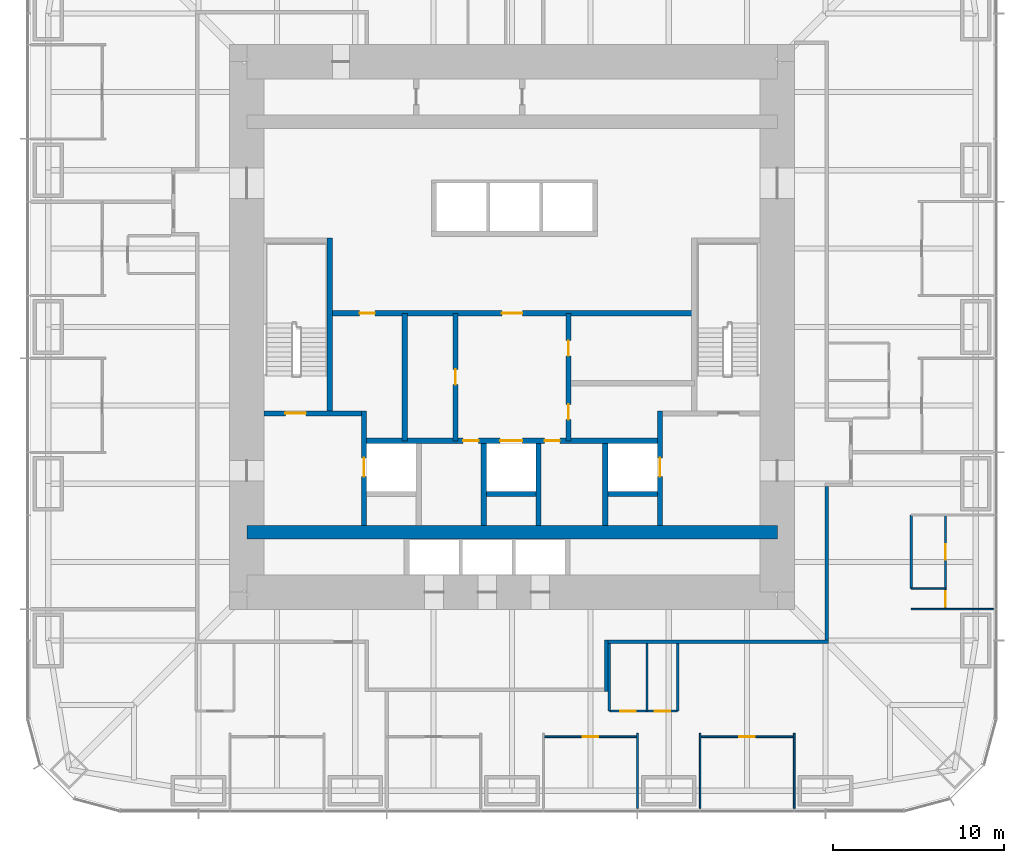
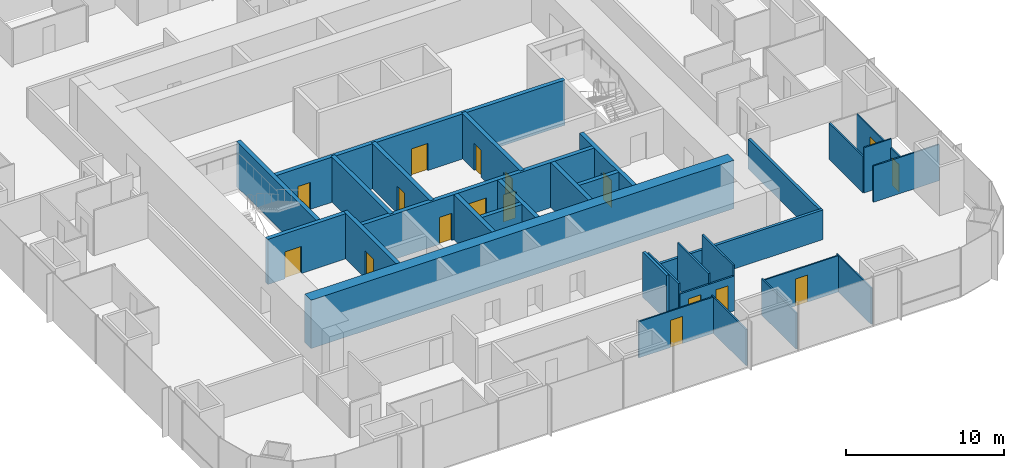
# One storey, part 8 of 11: 31 walls, 17 doors, 17 openings.
"""IFC4 building model written with IfcOpenShell, lengths in metres."""

from ifc_helpers import new_model, si_unit, direction, frame, frame_2d, origin, place, context, subcontext, project, spatial, rectangle, extrude, material, layer, layer_set, type_object, element, fill, save


model = new_model("IFC4")

# Units and contexts
model_context = context("Model", 3, precision=1e-05, world=origin(), true_north=direction((0.0, 1.0)))
body_context = subcontext(model_context, "Body", "Model", "MODEL_VIEW")
ifc_project = project(units=[si_unit("LENGTHUNIT", "METRE"), si_unit("AREAUNIT", "SQUARE_METRE"), si_unit("VOLUMEUNIT", "CUBIC_METRE"), si_unit("PLANEANGLEUNIT", "RADIAN"), si_unit("MASSUNIT", "GRAM", prefix="KILO")], contexts=[model_context])

# Site, building, storey
site_placement = place(None, origin())
site = spatial("IfcSite", under=ifc_project, at=site_placement, CompositionType="ELEMENT")
building_placement = place(site_placement, origin())
building = spatial("IfcBuilding", under=site, at=building_placement, Name="Khuree Lantern Residences", CompositionType="ELEMENT")
storey_placement = place(building_placement, frame((0.0, 0.0, 174.75)))
storey = spatial("IfcBuildingStorey", under=building, at=storey_placement, Name="L44", CompositionType="ELEMENT", Elevation=174.75)

# Wall
ifc_material_1 = material(Name="Moisture-resistant gypsum board on steel studs", Category="steel")
ifc_layer_1 = layer(ifc_material_1, 0.125)
ifc_layer_set_1 = layer_set([ifc_layer_1], Name="BATHROOM WALL BTW125")
wall_type_1 = type_object("IfcWallType", Name="BATHROOM WALL BTW125", PredefinedType="PARTITIONING", material=ifc_layer_set_1)
wall_1_placement = place(storey_placement, frame((23.329833984375, -15.2880859375, 0.0), z_axis=(0.0, 0.0, 1.0), x_axis=(0.0, 1.0, 0.0)))
element("IfcWall", 1, at=wall_1_placement, inside=storey, type_object=wall_type_1, Name="L44 BATHROOM WALL 05", PredefinedType="PARTITIONING", context=body_context, shape_type="SweptSolid", body=[
    extrude(rectangle(XDim=4.296142578125, YDim=0.125, at=frame_2d((2.14794921875, 0.0))), origin(), (0.0, 0.0, 1.0), 2.81005859375),
])

# Wall, openings, doors
wall_2_placement = place(storey_placement, frame((5.68359375, -22.449951171875, 0.0), z_axis=(0.0, 0.0, 1.0), x_axis=(1.0, 0.0, 0.0)))
wall_2 = element("IfcWall", 2, at=wall_2_placement, inside=storey, type_object=wall_type_1, Name="L44 BATHROOM WALL 05", PredefinedType="PARTITIONING", context=body_context, shape_type="SweptSolid", body=[
    extrude(rectangle(XDim=4.0, YDim=0.125, at=frame_2d((2.0, 0.0))), origin(), (0.0, 0.0, 1.0), 2.699951171875),
])
opening_1_placement = place(wall_2_placement, frame((0.64990234375, 0.0, 0.0)))
opening_1 = element("IfcOpeningElement", 3, at=opening_1_placement, cuts=wall_2, Name="Opening 44-047", PredefinedType="OPENING", context=body_context, shape_type="SweptSolid", body=[
    extrude(rectangle(XDim=0.89990234375, YDim=2.10009765625, at=frame_2d((0.449951171875, 1.050048828125))), frame((0.0, 0.072509765625, 0.0), z_axis=(0.0, -1.0, 0.0), x_axis=(1.0, 0.0, 0.0)), (0.0, 0.0, 1.0), 0.14501953125),
])
opening_2_placement = place(wall_2_placement, frame((2.64990234375, 0.0, 0.0)))
opening_2 = element("IfcOpeningElement", 4, at=opening_2_placement, cuts=wall_2, Name="Opening 44-048", PredefinedType="OPENING", context=body_context, shape_type="SweptSolid", body=[
    extrude(rectangle(XDim=0.89990234375, YDim=2.10009765625, at=frame_2d((0.449951171875, 1.050048828125))), frame((0.0, 0.072509765625, 0.0), z_axis=(0.0, -1.0, 0.0), x_axis=(1.0, 0.0, 0.0)), (0.0, 0.0, 1.0), 0.14501953125),
])
ifc_material_2 = material(Name="Timber door leaf in hardwood frame", Category="wood")
door_type_1 = type_object("IfcDoorType", Name="BATHROOM DOOR 900X2100", OperationType="SINGLE_SWING_LEFT", PredefinedType="DOOR", material=ifc_material_2)
door_1_placement = place(opening_1_placement, origin())
door_1 = element("IfcDoor", 5, at=door_1_placement, inside=storey, type_object=door_type_1, Name="Bathroom door 44-047", OperationType="SINGLE_SWING_LEFT", OverallHeight=2.10009765625, OverallWidth=0.89990234375, PredefinedType="DOOR", context=body_context, shape_type="SweptSolid", body=[
    extrude(rectangle(XDim=0.89990234375, YDim=2.10009765625, at=frame_2d((0.449951171875, 1.050048828125))), frame((0.0, 0.02490234375, 0.0), z_axis=(0.0, -1.0, 0.0), x_axis=(1.0, 0.0, 0.0)), (0.0, 0.0, 1.0), 0.050048828125),
])
fill(opening_1, door_1)
door_type_2 = type_object("IfcDoorType", Name="DOOR 900X2100", OperationType="SINGLE_SWING_LEFT", PredefinedType="DOOR", material=ifc_material_2)
door_2_placement = place(opening_2_placement, origin())
door_2 = element("IfcDoor", 6, at=door_2_placement, inside=storey, type_object=door_type_2, Name="Store door 44-048", OperationType="SINGLE_SWING_LEFT", OverallHeight=2.10009765625, OverallWidth=0.89990234375, PredefinedType="DOOR", context=body_context, shape_type="SweptSolid", body=[
    extrude(rectangle(XDim=0.89990234375, YDim=2.10009765625, at=frame_2d((0.449951171875, 1.050048828125))), frame((0.0, 0.02490234375, 0.0), z_axis=(0.0, -1.0, 0.0), x_axis=(1.0, 0.0, 0.0)), (0.0, 0.0, 1.0), 0.050048828125),
])
fill(opening_2, door_2)

# Walls
for number, where, z_axis, x_axis, name in (
    (7, (5.68359375, -18.5, 0.0), (0.0, 0.0, 1.0), (0.0, -1.0, 0.0), "L44 BATHROOM WALL 05"),
    (8, (7.883544921875, -18.5, 0.0), (0.0, 0.0, 1.0), (0.0, -1.0, 0.0), "L44 BATHROOM WALL 05"),
    (9, (9.68359375, -18.5, 0.0), (0.0, 0.0, 1.0), (0.0, -1.0, 0.0), "L44 BATHROOM WALL 05"),
):
    element("IfcWall", number, at=place(storey_placement, frame(where, z_axis=z_axis, x_axis=x_axis)), inside=storey, type_object=wall_type_1, Name=name, PredefinedType="PARTITIONING", context=body_context, shape_type="SweptSolid", body=[
        extrude(rectangle(XDim=3.949951171875, YDim=0.125, at=frame_2d((1.97509765625, 0.0))), origin(), (0.0, 0.0, 1.0), 3.5),
    ])

# Wall, opening, door
ifc_material_3 = material(Name="Dense concrete blockwork", Category="masonry")
ifc_layer_2 = layer(ifc_material_3, 0.300048828125)
ifc_layer_set_2 = layer_set([ifc_layer_2], Name="CORE PARTITION WALL CPW300 EI 120")
wall_type_2 = type_object("IfcWallType", Name="CORE PARTITION WALL CPW300 EI 120", PredefinedType="PARTITIONING", material=ifc_layer_set_2)
wall_3_placement = place(storey_placement, frame((-8.64990234375, -11.60009765625, 0.0), z_axis=(0.0, 0.0, 1.0), x_axis=(0.0, 1.0, 0.0)))
wall_3 = element("IfcWall", 10, at=wall_3_placement, inside=storey, type_object=wall_type_2, Name="L44 CORE WALL FL1W", PredefinedType="PARTITIONING", context=body_context, shape_type="SweptSolid", body=[
    extrude(rectangle(XDim=6.7001953125, YDim=0.300048828125, at=frame_2d((3.35009765625, 0.0))), origin(), (0.0, 0.0, 1.0), 3.5),
])
opening_3_placement = place(wall_3_placement, frame((2.85009765625, 0.0, 0.0)))
opening_3 = element("IfcOpeningElement", 11, at=opening_3_placement, cuts=wall_3, Name="Opening 44-007", PredefinedType="OPENING", context=body_context, shape_type="SweptSolid", body=[
    extrude(rectangle(XDim=1.10009765625, YDim=2.10009765625, at=frame_2d((0.550048828125, 1.050048828125))), frame((0.0, 0.16015625, 0.0), z_axis=(0.0, -1.0, 0.0), x_axis=(1.0, 0.0, 0.0)), (0.0, 0.0, 1.0), 0.320068359375),
])
ifc_material_4 = material(Name="Stainless steel lift landing door", Category="steel")
door_type_3 = type_object("IfcDoorType", Name="LIFT LANDING DOOR 1100X2100 E 120", OperationType="DOUBLE_DOOR_SLIDING", PredefinedType="DOOR", material=ifc_material_4)
door_3_placement = place(opening_3_placement, origin())
door_3 = element("IfcDoor", 12, at=door_3_placement, inside=storey, type_object=door_type_3, Name="Landing door FL1 44-007", OperationType="DOUBLE_DOOR_SLIDING", OverallHeight=2.10009765625, OverallWidth=1.10009765625, PredefinedType="DOOR", context=body_context, shape_type="SweptSolid", body=[
    extrude(rectangle(XDim=1.10009765625, YDim=2.10009765625, at=frame_2d((0.550048828125, 1.050048828125))), frame((0.0, 0.02490234375, 0.0), z_axis=(0.0, -1.0, 0.0), x_axis=(1.0, 0.0, 0.0)), (0.0, 0.0, 1.0), 0.050048828125),
])
fill(opening_3, door_3)

wall_4_placement = place(storey_placement, frame((8.64990234375, -11.60009765625, 0.0), z_axis=(0.0, 0.0, 1.0), x_axis=(0.0, 1.0, 0.0)))
wall_4 = element("IfcWall", 13, at=wall_4_placement, inside=storey, type_object=wall_type_2, Name="L44 CORE WALL FL2E", PredefinedType="PARTITIONING", context=body_context, shape_type="SweptSolid", body=[
    extrude(rectangle(XDim=6.7001953125, YDim=0.300048828125, at=frame_2d((3.35009765625, 0.0))), origin(), (0.0, 0.0, 1.0), 3.5),
])
opening_4_placement = place(wall_4_placement, frame((2.85009765625, 0.0, 0.0)))
opening_4 = element("IfcOpeningElement", 14, at=opening_4_placement, cuts=wall_4, Name="Opening 44-008", PredefinedType="OPENING", context=body_context, shape_type="SweptSolid", body=[
    extrude(rectangle(XDim=1.10009765625, YDim=2.10009765625, at=frame_2d((0.550048828125, 1.050048828125))), frame((0.0, 0.16015625, 0.0), z_axis=(0.0, -1.0, 0.0), x_axis=(1.0, 0.0, 0.0)), (0.0, 0.0, 1.0), 0.320068359375),
])
door_4_placement = place(opening_4_placement, origin())
door_4 = element("IfcDoor", 15, at=door_4_placement, inside=storey, type_object=door_type_3, Name="Landing door FL2 44-008", OperationType="DOUBLE_DOOR_SLIDING", OverallHeight=2.10009765625, OverallWidth=1.10009765625, PredefinedType="DOOR", context=body_context, shape_type="SweptSolid", body=[
    extrude(rectangle(XDim=1.10009765625, YDim=2.10009765625, at=frame_2d((0.550048828125, 1.050048828125))), frame((0.0, 0.02490234375, 0.0), z_axis=(0.0, -1.0, 0.0), x_axis=(1.0, 0.0, 0.0)), (0.0, 0.0, 1.0), 0.050048828125),
])
fill(opening_4, door_4)

# Wall, openings, doors
wall_5_placement = place(storey_placement, frame((-8.5, -6.64990234375, 0.0), z_axis=(0.0, 0.0, 1.0), x_axis=(1.0, 0.0, 0.0)))
wall_5 = element("IfcWall", 16, at=wall_5_placement, inside=storey, type_object=wall_type_2, Name="L44 CORE WALL FLROW", PredefinedType="PARTITIONING", context=body_context, shape_type="SweptSolid", body=[
    extrude(rectangle(XDim=17.0, YDim=0.300048828125, at=frame_2d((8.5, 0.0))), origin(), (0.0, 0.0, 1.0), 3.5),
])
opening_5_placement = place(wall_5_placement, frame((7.800048828125, 0.0, 0.0)))
opening_5 = element("IfcOpeningElement", 17, at=opening_5_placement, cuts=wall_5, Name="Opening 44-012", PredefinedType="OPENING", context=body_context, shape_type="SweptSolid", body=[
    extrude(rectangle(XDim=1.300048828125, YDim=2.39990234375, at=frame_2d((0.64990234375, 1.199951171875))), frame((0.0, 0.16015625, 0.0), z_axis=(0.0, -1.0, 0.0), x_axis=(1.0, 0.0, 0.0)), (0.0, 0.0, 1.0), 0.320068359375),
])
opening_6_placement = place(wall_5_placement, frame((5.64990234375, 0.0, 0.0)))
opening_6 = element("IfcOpeningElement", 18, at=opening_6_placement, cuts=wall_5, Name="Opening 44-014", PredefinedType="OPENING", context=body_context, shape_type="SweptSolid", body=[
    extrude(rectangle(XDim=0.89990234375, YDim=2.10009765625, at=frame_2d((0.449951171875, 1.050048828125))), frame((0.0, 0.16015625, 0.0), z_axis=(0.0, -1.0, 0.0), x_axis=(1.0, 0.0, 0.0)), (0.0, 0.0, 1.0), 0.320068359375),
])
opening_7_placement = place(wall_5_placement, frame((10.39990234375, 0.0, 0.0)))
opening_7 = element("IfcOpeningElement", 19, at=opening_7_placement, cuts=wall_5, Name="Opening 44-015", PredefinedType="OPENING", context=body_context, shape_type="SweptSolid", body=[
    extrude(rectangle(XDim=0.89990234375, YDim=2.10009765625, at=frame_2d((0.449951171875, 1.050048828125))), frame((0.0, 0.16015625, 0.0), z_axis=(0.0, -1.0, 0.0), x_axis=(1.0, 0.0, 0.0)), (0.0, 0.0, 1.0), 0.320068359375),
])
ifc_material_5 = material(Name="Steel door leaf in steel frame", Category="steel")
door_type_4 = type_object("IfcDoorType", Name="DOOR 900X2100 EI 60", OperationType="SINGLE_SWING_LEFT", PredefinedType="DOOR", material=ifc_material_5)
door_5_placement = place(opening_6_placement, origin())
door_5 = element("IfcDoor", 20, at=door_5_placement, inside=storey, type_object=door_type_4, Name="Refuse chute room door 44-014", OperationType="SINGLE_SWING_LEFT", OverallHeight=2.10009765625, OverallWidth=0.89990234375, PredefinedType="DOOR", context=body_context, shape_type="SweptSolid", body=[
    extrude(rectangle(XDim=0.89990234375, YDim=2.10009765625, at=frame_2d((0.449951171875, 1.050048828125))), frame((0.0, 0.02490234375, 0.0), z_axis=(0.0, -1.0, 0.0), x_axis=(1.0, 0.0, 0.0)), (0.0, 0.0, 1.0), 0.050048828125),
])
fill(opening_6, door_5)
door_type_5 = type_object("IfcDoorType", Name="DOOR 900X2100 EI 60 RIGHT HAND", OperationType="SINGLE_SWING_RIGHT", PredefinedType="DOOR", material=ifc_material_5)
door_6_placement = place(opening_7_placement, origin())
door_6 = element("IfcDoor", 21, at=door_6_placement, inside=storey, type_object=door_type_5, Name="Electrical and plumbing riser door 44-015", OperationType="SINGLE_SWING_RIGHT", OverallHeight=2.10009765625, OverallWidth=0.89990234375, PredefinedType="DOOR", context=body_context, shape_type="SweptSolid", body=[
    extrude(rectangle(XDim=0.89990234375, YDim=2.10009765625, at=frame_2d((0.449951171875, 1.050048828125))), frame((0.0, 0.02490234375, 0.0), z_axis=(0.0, -1.0, 0.0), x_axis=(1.0, 0.0, 0.0)), (0.0, 0.0, 1.0), 0.050048828125),
])
fill(opening_7, door_6)
door_type_6 = type_object("IfcDoorType", Name="LIFT LANDING DOOR 1300X2400 E 60", OperationType="DOUBLE_DOOR_SLIDING", PredefinedType="DOOR", material=ifc_material_4)
door_7_placement = place(opening_5_placement, origin())
door_7 = element("IfcDoor", 22, at=door_7_placement, inside=storey, type_object=door_type_6, Name="Landing door SL1 44-012", OperationType="DOUBLE_DOOR_SLIDING", OverallHeight=2.39990234375, OverallWidth=1.300048828125, PredefinedType="DOOR", context=body_context, shape_type="SweptSolid", body=[
    extrude(rectangle(XDim=1.300048828125, YDim=2.39990234375, at=frame_2d((0.64990234375, 1.199951171875))), frame((0.0, 0.02490234375, 0.0), z_axis=(0.0, -1.0, 0.0), x_axis=(1.0, 0.0, 0.0)), (0.0, 0.0, 1.0), 0.050048828125),
])
fill(opening_5, door_7)

# Walls
for number, where, z_axis, x_axis, name in (
    (23, (-1.64990234375, -11.60009765625, 0.0), (0.0, 0.0, 1.0), (0.0, 1.0, 0.0), "L44 CORE WALL SL1W"),
    (24, (1.550048828125, -11.60009765625, 0.0), (0.0, 0.0, 1.0), (0.0, 1.0, 0.0), "L44 CORE WALL SL1E"),
    (25, (5.449951171875, -11.60009765625, 0.0), (0.0, 0.0, 1.0), (0.0, 1.0, 0.0), "L44 CORE WALL FL2W"),
):
    element("IfcWall", number, at=place(storey_placement, frame(where, z_axis=z_axis, x_axis=x_axis)), inside=storey, type_object=wall_type_2, Name=name, PredefinedType="PARTITIONING", context=body_context, shape_type="SweptSolid", body=[
        extrude(rectangle(XDim=4.800048828125, YDim=0.300048828125, at=frame_2d((2.39990234375, 0.0))), origin(), (0.0, 0.0, 1.0), 3.5),
    ])
for number, where, z_axis, x_axis, name in (
    (26, (-1.5, -9.75, 0.0), (0.0, 0.0, 1.0), (1.0, 0.0, 0.0), "L44 CORE WALL SL1S"),
    (27, (5.60009765625, -9.75, 0.0), (0.0, 0.0, 1.0), (1.0, 0.0, 0.0), "L44 CORE WALL FL2S"),
):
    element("IfcWall", number, at=place(storey_placement, frame(where, z_axis=z_axis, x_axis=x_axis)), inside=storey, type_object=wall_type_2, Name=name, PredefinedType="PARTITIONING", context=body_context, shape_type="SweptSolid", body=[
        extrude(rectangle(XDim=2.89990234375, YDim=0.300048828125, at=frame_2d((1.449951171875, 0.0))), origin(), (0.0, 0.0, 1.0), 3.5),
    ])

# Wall, openings, doors
wall_6_placement = place(storey_placement, frame((-10.64990234375, 0.800048828125, 0.0), z_axis=(0.0, 0.0, 1.0), x_axis=(1.0, 0.0, 0.0)))
wall_6 = element("IfcWall", 28, at=wall_6_placement, inside=storey, type_object=wall_type_2, Name="L44 CORE WALL LLS", PredefinedType="PARTITIONING", context=body_context, shape_type="SweptSolid", body=[
    extrude(rectangle(XDim=21.2998046875, YDim=0.300048828125, at=frame_2d((10.64990234375, 0.0))), origin(), (0.0, 0.0, 1.0), 3.5),
])
opening_8_placement = place(wall_6_placement, frame((10.050048828125, 0.0, 0.0)))
opening_8 = element("IfcOpeningElement", 29, at=opening_8_placement, cuts=wall_6, Name="Opening 44-013", PredefinedType="OPENING", context=body_context, shape_type="SweptSolid", body=[
    extrude(rectangle(XDim=1.199951171875, YDim=2.10009765625, at=frame_2d((0.60009765625, 1.050048828125))), frame((0.0, 0.16015625, 0.0), z_axis=(0.0, -1.0, 0.0), x_axis=(1.0, 0.0, 0.0)), (0.0, 0.0, 1.0), 0.320068359375),
])
opening_9_placement = place(wall_6_placement, frame((1.739990234375, 0.0, 0.0)))
opening_9 = element("IfcOpeningElement", 30, at=opening_9_placement, cuts=wall_6, Name="Opening 44-017", PredefinedType="OPENING", context=body_context, shape_type="SweptSolid", body=[
    extrude(rectangle(XDim=0.89990234375, YDim=2.10009765625, at=frame_2d((0.449951171875, 1.050048828125))), frame((0.0, 0.16015625, 0.0), z_axis=(0.0, -1.0, 0.0), x_axis=(1.0, 0.0, 0.0)), (0.0, 0.0, 1.0), 0.320068359375),
])
door_type_7 = type_object("IfcDoorType", Name="DOOR 1200X2100 EI 60", OperationType="SINGLE_SWING_LEFT", PredefinedType="DOOR", material=ifc_material_5)
door_8_placement = place(opening_8_placement, origin())
door_8 = element("IfcDoor", 31, at=door_8_placement, inside=storey, type_object=door_type_7, Name="Service lift lobby door 44-013", OperationType="SINGLE_SWING_LEFT", OverallHeight=2.10009765625, OverallWidth=1.199951171875, PredefinedType="DOOR", context=body_context, shape_type="SweptSolid", body=[
    extrude(rectangle(XDim=1.199951171875, YDim=2.10009765625, at=frame_2d((0.60009765625, 1.050048828125))), frame((0.0, 0.02490234375, 0.0), z_axis=(0.0, -1.0, 0.0), x_axis=(1.0, 0.0, 0.0)), (0.0, 0.0, 1.0), 0.050048828125),
])
fill(opening_8, door_8)
door_9_placement = place(opening_9_placement, origin())
door_9 = element("IfcDoor", 32, at=door_9_placement, inside=storey, type_object=door_type_2, Name="Residents' store door 44-017", OperationType="SINGLE_SWING_LEFT", OverallHeight=2.10009765625, OverallWidth=0.89990234375, PredefinedType="DOOR", context=body_context, shape_type="SweptSolid", body=[
    extrude(rectangle(XDim=0.89990234375, YDim=2.10009765625, at=frame_2d((0.449951171875, 1.050048828125))), frame((0.0, 0.02490234375, 0.0), z_axis=(0.0, -1.0, 0.0), x_axis=(1.0, 0.0, 0.0)), (0.0, 0.0, 1.0), 0.050048828125),
])
fill(opening_9, door_9)

# Wall, opening, door
wall_7_placement = place(storey_placement, frame((-3.300048828125, -6.64990234375, 0.0), z_axis=(0.0, 0.0, 1.0), x_axis=(0.0, 1.0, 0.0)))
wall_7 = element("IfcWall", 33, at=wall_7_placement, inside=storey, type_object=wall_type_2, Name="L44 CORE WALL SVW", PredefinedType="PARTITIONING", context=body_context, shape_type="SweptSolid", body=[
    extrude(rectangle(XDim=7.449951171875, YDim=0.300048828125, at=frame_2d((3.72509765625, 0.0))), origin(), (0.0, 0.0, 1.0), 3.5),
])
opening_10_placement = place(wall_7_placement, frame((3.27490234375, 0.0, 0.0)))
opening_10 = element("IfcOpeningElement", 34, at=opening_10_placement, cuts=wall_7, Name="Opening 44-016", PredefinedType="OPENING", context=body_context, shape_type="SweptSolid", body=[
    extrude(rectangle(XDim=0.89990234375, YDim=2.10009765625, at=frame_2d((0.449951171875, 1.050048828125))), frame((0.0, 0.16015625, 0.0), z_axis=(0.0, -1.0, 0.0), x_axis=(1.0, 0.0, 0.0)), (0.0, 0.0, 1.0), 0.320068359375),
])
door_10_placement = place(opening_10_placement, origin())
door_10 = element("IfcDoor", 35, at=door_10_placement, inside=storey, type_object=door_type_2, Name="Parcel room door 44-016", OperationType="SINGLE_SWING_LEFT", OverallHeight=2.10009765625, OverallWidth=0.89990234375, PredefinedType="DOOR", context=body_context, shape_type="SweptSolid", body=[
    extrude(rectangle(XDim=0.89990234375, YDim=2.10009765625, at=frame_2d((0.449951171875, 1.050048828125))), frame((0.0, 0.02490234375, 0.0), z_axis=(0.0, -1.0, 0.0), x_axis=(1.0, 0.0, 0.0)), (0.0, 0.0, 1.0), 0.050048828125),
])
fill(opening_10, door_10)

# Wall, openings, doors
wall_8_placement = place(storey_placement, frame((3.300048828125, -6.64990234375, 0.0), z_axis=(0.0, 0.0, 1.0), x_axis=(0.0, 1.0, 0.0)))
wall_8 = element("IfcWall", 36, at=wall_8_placement, inside=storey, type_object=wall_type_2, Name="L44 CORE WALL SVE", PredefinedType="PARTITIONING", context=body_context, shape_type="SweptSolid", body=[
    extrude(rectangle(XDim=7.449951171875, YDim=0.300048828125, at=frame_2d((3.72509765625, 0.0))), origin(), (0.0, 0.0, 1.0), 3.5),
])
opening_11_placement = place(wall_8_placement, frame((1.23095703125, 0.0, 0.0)))
opening_11 = element("IfcOpeningElement", 37, at=opening_11_placement, cuts=wall_8, Name="Opening 44-018", PredefinedType="OPENING", context=body_context, shape_type="SweptSolid", body=[
    extrude(rectangle(XDim=0.89990234375, YDim=2.10009765625, at=frame_2d((0.449951171875, 1.050048828125))), frame((0.0, 0.16015625, 0.0), z_axis=(0.0, -1.0, 0.0), x_axis=(1.0, 0.0, 0.0)), (0.0, 0.0, 1.0), 0.320068359375),
])
opening_12_placement = place(wall_8_placement, frame((4.9560546875, 0.0, 0.0)))
opening_12 = element("IfcOpeningElement", 38, at=opening_12_placement, cuts=wall_8, Name="Opening 44-019", PredefinedType="OPENING", context=body_context, shape_type="SweptSolid", body=[
    extrude(rectangle(XDim=0.89990234375, YDim=2.10009765625, at=frame_2d((0.449951171875, 1.050048828125))), frame((0.0, 0.16015625, 0.0), z_axis=(0.0, -1.0, 0.0), x_axis=(1.0, 0.0, 0.0)), (0.0, 0.0, 1.0), 0.320068359375),
])
door_11_placement = place(opening_11_placement, origin())
door_11 = element("IfcDoor", 39, at=door_11_placement, inside=storey, type_object=door_type_2, Name="Parcel room door 44-018", OperationType="SINGLE_SWING_LEFT", OverallHeight=2.10009765625, OverallWidth=0.89990234375, PredefinedType="DOOR", context=body_context, shape_type="SweptSolid", body=[
    extrude(rectangle(XDim=0.89990234375, YDim=2.10009765625, at=frame_2d((0.449951171875, 1.050048828125))), frame((0.0, 0.02490234375, 0.0), z_axis=(0.0, -1.0, 0.0), x_axis=(1.0, 0.0, 0.0)), (0.0, 0.0, 1.0), 0.050048828125),
])
fill(opening_11, door_11)
door_type_8 = type_object("IfcDoorType", Name="DOOR 900X2100 RIGHT HAND", OperationType="SINGLE_SWING_RIGHT", PredefinedType="DOOR", material=ifc_material_2)
door_12_placement = place(opening_12_placement, origin())
door_12 = element("IfcDoor", 40, at=door_12_placement, inside=storey, type_object=door_type_8, Name="Residents' store door 44-019", OperationType="SINGLE_SWING_RIGHT", OverallHeight=2.10009765625, OverallWidth=0.89990234375, PredefinedType="DOOR", context=body_context, shape_type="SweptSolid", body=[
    extrude(rectangle(XDim=0.89990234375, YDim=2.10009765625, at=frame_2d((0.449951171875, 1.050048828125))), frame((0.0, 0.02490234375, 0.0), z_axis=(0.0, -1.0, 0.0), x_axis=(1.0, 0.0, 0.0)), (0.0, 0.0, 1.0), 0.050048828125),
])
fill(opening_12, door_12)

# Walls
wall_9_placement = place(storey_placement, frame((-6.27001953125, -6.64990234375, 0.0), z_axis=(0.0, 0.0, 1.0), x_axis=(0.0, 1.0, 0.0)))
element("IfcWall", 41, at=wall_9_placement, inside=storey, type_object=wall_type_2, Name="L44 CORE WALL WV", PredefinedType="PARTITIONING", context=body_context, shape_type="SweptSolid", body=[
    extrude(rectangle(XDim=7.449951171875, YDim=0.300048828125, at=frame_2d((3.72509765625, 0.0))), origin(), (0.0, 0.0, 1.0), 3.5),
])
ifc_material_6 = material(Name="Gypsum board on steel studs", Category="steel")
ifc_layer_3 = layer(ifc_material_6, 0.199951171875)
ifc_layer_set_3 = layer_set([ifc_layer_3], Name="CORRIDOR WALL CRW200 EI 60")
wall_type_3 = type_object("IfcWallType", Name="CORRIDOR WALL CRW200 EI 60", PredefinedType="PARTITIONING", material=ifc_layer_set_3)
wall_10_placement = place(storey_placement, frame((18.39990234375, -18.300048828125, 0.0), z_axis=(0.0, 0.0, 1.0), x_axis=(0.0, 1.0, 0.0)))
element("IfcWall", 42, at=wall_10_placement, inside=storey, type_object=wall_type_3, Name="L44 CORRIDOR WALL EAST 1", PredefinedType="PARTITIONING", context=body_context, shape_type="SweptSolid", body=[
    extrude(rectangle(XDim=8.97216796875, YDim=0.199951171875, at=frame_2d((4.486083984375, 0.0))), origin(), (0.0, 0.0, 1.0), 2.300048828125),
])
wall_11_placement = place(storey_placement, frame((18.5, -18.39990234375, 0.0), z_axis=(0.0, 0.0, 1.0), x_axis=(-1.0, 0.0, 0.0)))
element("IfcWall", 43, at=wall_11_placement, inside=storey, type_object=wall_type_3, Name="L44 CORRIDOR WALL SOUTH 1", PredefinedType="PARTITIONING", context=body_context, shape_type="SweptSolid", body=[
    extrude(rectangle(XDim=12.89990234375, YDim=0.199951171875, at=frame_2d((6.449951171875, 0.0))), origin(), (0.0, 0.0, 1.0), 2.300048828125),
])
wall_12_placement = place(storey_placement, frame((5.5, -18.300048828125, 0.0), z_axis=(0.0, 0.0, 1.0), x_axis=(0.0, -1.0, 0.0)))
element("IfcWall", 44, at=wall_12_placement, inside=storey, type_object=wall_type_3, Name="L44 LIFT LOBBY WALL", PredefinedType="PARTITIONING", context=body_context, shape_type="SweptSolid", body=[
    extrude(rectangle(XDim=3.0, YDim=0.199951171875, at=frame_2d((1.5, 0.0))), origin(), (0.0, 0.0, 1.0), 3.5),
])
ifc_layer_4 = layer(ifc_material_6, 0.10009765625)
ifc_layer_set_4 = layer_set([ifc_layer_4], Name="PARTITION PT100")
wall_type_4 = type_object("IfcWallType", Name="PARTITION PT100", PredefinedType="PARTITIONING", material=ifc_layer_set_4)
for number, where, z_axis, x_axis, name in (
    (45, (7.327880859375, -23.75, 0.0), (0.0, 0.0, 1.0), (0.0, -1.0, 0.0), "L44 PARTITION 05"),
    (46, (10.991943359375, -23.75, 0.0), (0.0, 0.0, 1.0), (0.0, -1.0, 0.0), "L44 PARTITION 05"),
    (47, (16.488037109375, -23.75, 0.0), (0.0, 0.0, 1.0), (0.0, -1.0, 0.0), "L44 PARTITION 05"),
):
    element("IfcWall", number, at=place(storey_placement, frame(where, z_axis=z_axis, x_axis=x_axis)), inside=storey, type_object=wall_type_4, Name=name, PredefinedType="PARTITIONING", context=body_context, shape_type="SweptSolid", body=[
        extrude(rectangle(XDim=4.39990234375, YDim=0.10009765625, at=frame_2d((2.199951171875, 0.0))), origin(), (0.0, 0.0, 1.0), 2.81005859375),
    ])
wall_13_placement = place(storey_placement, frame((23.329833984375, -16.488037109375, 0.0), z_axis=(0.0, 0.0, 1.0), x_axis=(1.0, 0.0, 0.0)))
element("IfcWall", 48, at=wall_13_placement, inside=storey, type_object=wall_type_4, Name="L44 PARTITION 05", PredefinedType="PARTITIONING", context=body_context, shape_type="SweptSolid", body=[
    extrude(rectangle(XDim=4.820068359375, YDim=0.10009765625, at=frame_2d((2.41015625, 0.0))), origin(), (0.0, 0.0, 1.0), 2.81005859375),
])

# Wall, opening, door
wall_14_placement = place(storey_placement, frame((1.83203125, -23.949951171875, 0.0), z_axis=(0.0, 0.0, 1.0), x_axis=(1.0, 0.0, 0.0)))
wall_14 = element("IfcWall", 49, at=wall_14_placement, inside=storey, type_object=wall_type_4, Name="L44 PARTITION 05", PredefinedType="PARTITIONING", context=body_context, shape_type="SweptSolid", body=[
    extrude(rectangle(XDim=5.495849609375, YDim=0.10009765625, at=frame_2d((2.748046875, 0.0))), origin(), (0.0, 0.0, 1.0), 2.81005859375),
])
opening_13_placement = place(wall_14_placement, frame((2.298095703125, 0.0, 0.0)))
opening_13 = element("IfcOpeningElement", 50, at=opening_13_placement, cuts=wall_14, Name="Opening 44-043", PredefinedType="OPENING", context=body_context, shape_type="SweptSolid", body=[
    extrude(rectangle(XDim=0.89990234375, YDim=2.10009765625, at=frame_2d((0.449951171875, 1.050048828125))), frame((0.0, 0.06005859375, 0.0), z_axis=(0.0, -1.0, 0.0), x_axis=(1.0, 0.0, 0.0)), (0.0, 0.0, 1.0), 0.1201171875),
])
door_type_9 = type_object("IfcDoorType", Name="BEDROOM DOOR 900X2100", OperationType="SINGLE_SWING_LEFT", PredefinedType="DOOR", material=ifc_material_2)
door_13_placement = place(opening_13_placement, origin())
door_13 = element("IfcDoor", 51, at=door_13_placement, inside=storey, type_object=door_type_9, Name="Bedroom door 44-043", OperationType="SINGLE_SWING_LEFT", OverallHeight=2.10009765625, OverallWidth=0.89990234375, PredefinedType="DOOR", context=body_context, shape_type="SweptSolid", body=[
    extrude(rectangle(XDim=0.89990234375, YDim=2.10009765625, at=frame_2d((0.449951171875, 1.050048828125))), frame((0.0, 0.02490234375, 0.0), z_axis=(0.0, -1.0, 0.0), x_axis=(1.0, 0.0, 0.0)), (0.0, 0.0, 1.0), 0.050048828125),
])
fill(opening_13, door_13)

wall_15_placement = place(storey_placement, frame((10.991943359375, -23.949951171875, 0.0), z_axis=(0.0, 0.0, 1.0), x_axis=(1.0, 0.0, 0.0)))
wall_15 = element("IfcWall", 52, at=wall_15_placement, inside=storey, type_object=wall_type_4, Name="L44 PARTITION 05", PredefinedType="PARTITIONING", context=body_context, shape_type="SweptSolid", body=[
    extrude(rectangle(XDim=5.49609375, YDim=0.10009765625, at=frame_2d((2.748046875, 0.0))), origin(), (0.0, 0.0, 1.0), 2.81005859375),
])
opening_14_placement = place(wall_15_placement, frame((2.298095703125, 0.0, 0.0)))
opening_14 = element("IfcOpeningElement", 53, at=opening_14_placement, cuts=wall_15, Name="Opening 44-044", PredefinedType="OPENING", context=body_context, shape_type="SweptSolid", body=[
    extrude(rectangle(XDim=0.89990234375, YDim=2.10009765625, at=frame_2d((0.449951171875, 1.050048828125))), frame((0.0, 0.06005859375, 0.0), z_axis=(0.0, -1.0, 0.0), x_axis=(1.0, 0.0, 0.0)), (0.0, 0.0, 1.0), 0.1201171875),
])
door_14_placement = place(opening_14_placement, origin())
door_14 = element("IfcDoor", 54, at=door_14_placement, inside=storey, type_object=door_type_9, Name="Bedroom door 44-044", OperationType="SINGLE_SWING_LEFT", OverallHeight=2.10009765625, OverallWidth=0.89990234375, PredefinedType="DOOR", context=body_context, shape_type="SweptSolid", body=[
    extrude(rectangle(XDim=0.89990234375, YDim=2.10009765625, at=frame_2d((0.449951171875, 1.050048828125))), frame((0.0, 0.02490234375, 0.0), z_axis=(0.0, -1.0, 0.0), x_axis=(1.0, 0.0, 0.0)), (0.0, 0.0, 1.0), 0.050048828125),
])
fill(opening_14, door_14)

# Wall, openings, doors
wall_16_placement = place(storey_placement, frame((25.329833984375, -16.488037109375, 0.0), z_axis=(0.0, 0.0, 1.0), x_axis=(0.0, 1.0, 0.0)))
wall_16 = element("IfcWall", 55, at=wall_16_placement, inside=storey, type_object=wall_type_4, Name="L44 PARTITION 05", PredefinedType="PARTITIONING", context=body_context, shape_type="SweptSolid", body=[
    extrude(rectangle(XDim=5.49609375, YDim=0.10009765625, at=frame_2d((2.748046875, 0.0))), origin(), (0.0, 0.0, 1.0), 2.81005859375),
])
opening_15_placement = place(wall_16_placement, frame((0.14990234375, 0.0, 0.0)))
opening_15 = element("IfcOpeningElement", 56, at=opening_15_placement, cuts=wall_16, Name="Opening 44-045", PredefinedType="OPENING", context=body_context, shape_type="SweptSolid", body=[
    extrude(rectangle(XDim=0.89990234375, YDim=2.10009765625, at=frame_2d((0.449951171875, 1.050048828125))), frame((0.0, 0.06005859375, 0.0), z_axis=(0.0, -1.0, 0.0), x_axis=(1.0, 0.0, 0.0)), (0.0, 0.0, 1.0), 0.1201171875),
])
opening_16_placement = place(wall_16_placement, frame((2.89794921875, 0.0, 0.0)))
opening_16 = element("IfcOpeningElement", 57, at=opening_16_placement, cuts=wall_16, Name="Opening 44-046", PredefinedType="OPENING", context=body_context, shape_type="SweptSolid", body=[
    extrude(rectangle(XDim=0.89990234375, YDim=2.10009765625, at=frame_2d((0.449951171875, 1.050048828125))), frame((0.0, 0.06005859375, 0.0), z_axis=(0.0, -1.0, 0.0), x_axis=(1.0, 0.0, 0.0)), (0.0, 0.0, 1.0), 0.1201171875),
])
door_15_placement = place(opening_16_placement, origin())
door_15 = element("IfcDoor", 58, at=door_15_placement, inside=storey, type_object=door_type_1, Name="Bathroom door 44-046", OperationType="SINGLE_SWING_LEFT", OverallHeight=2.10009765625, OverallWidth=0.89990234375, PredefinedType="DOOR", context=body_context, shape_type="SweptSolid", body=[
    extrude(rectangle(XDim=0.89990234375, YDim=2.10009765625, at=frame_2d((0.449951171875, 1.050048828125))), frame((0.0, 0.02490234375, 0.0), z_axis=(0.0, -1.0, 0.0), x_axis=(1.0, 0.0, 0.0)), (0.0, 0.0, 1.0), 0.050048828125),
])
fill(opening_16, door_15)
door_16_placement = place(opening_15_placement, origin())
door_16 = element("IfcDoor", 59, at=door_16_placement, inside=storey, type_object=door_type_9, Name="Bedroom door 44-045", OperationType="SINGLE_SWING_LEFT", OverallHeight=2.10009765625, OverallWidth=0.89990234375, PredefinedType="DOOR", context=body_context, shape_type="SweptSolid", body=[
    extrude(rectangle(XDim=0.89990234375, YDim=2.10009765625, at=frame_2d((0.449951171875, 1.050048828125))), frame((0.0, 0.02490234375, 0.0), z_axis=(0.0, -1.0, 0.0), x_axis=(1.0, 0.0, 0.0)), (0.0, 0.0, 1.0), 0.050048828125),
])
fill(opening_15, door_16)

# Walls
wall_17_placement = place(storey_placement, frame((23.329833984375, -15.2880859375, 0.0), z_axis=(0.0, 0.0, 1.0), x_axis=(1.0, 0.0, 0.0)))
element("IfcWall", 60, at=wall_17_placement, inside=storey, type_object=wall_type_4, Name="L44 PARTITION 05", PredefinedType="PARTITIONING", context=body_context, shape_type="SweptSolid", body=[
    extrude(rectangle(XDim=2.0, YDim=0.10009765625, at=frame_2d((1.0, 0.0))), origin(), (0.0, 0.0, 1.0), 3.5),
])
ifc_material_7 = material(Name="Concrete C70/85", Category="concrete")
ifc_layer_5 = layer(ifc_material_7, 0.800048828125)
ifc_layer_set_5 = layer_set([ifc_layer_5], Name="SP800-C70 CORE SPINE WALL C70 800")
wall_type_5 = type_object("IfcWallType", Name="SP800-C70 CORE SPINE WALL C70 800", PredefinedType="SHEAR", material=ifc_layer_set_5)
wall_18_placement = place(storey_placement, frame((-15.5, -12.0, -0.25), z_axis=(0.0, 0.0, 1.0), x_axis=(1.0, 0.0, 0.0)))
element("IfcWall", 61, at=wall_18_placement, inside=storey, type_object=wall_type_5, Name="Core wall SPS", PredefinedType="SHEAR", context=body_context, shape_type="SweptSolid", body=[
    extrude(rectangle(XDim=31.0, YDim=0.800048828125, at=frame_2d((15.5, 0.0))), origin(), (0.0, 0.0, 1.0), 3.75),
])
ifc_material_8 = material(Name="Concrete C50/60", Category="concrete")
ifc_layer_6 = layer(ifc_material_8, 0.300048828125)
ifc_layer_set_6 = layer_set([ifc_layer_6], Name="STAIR WALL SRW300 C50/60 REI 240")
wall_type_6 = type_object("IfcWallType", Name="STAIR WALL SRW300 C50/60 REI 240", PredefinedType="SOLIDWALL", material=ifc_layer_set_6)
wall_19_placement = place(storey_placement, frame((-10.64990234375, -4.89990234375, 0.0), z_axis=(0.0, 0.0, 1.0), x_axis=(0.0, 1.0, 0.0)))
element("IfcWall", 62, at=wall_19_placement, inside=storey, type_object=wall_type_6, Name="L44 STAIR WALL ST1E", PredefinedType="SOLIDWALL", context=body_context, shape_type="SweptSolid", body=[
    extrude(rectangle(XDim=10.099853515625, YDim=0.300048828125, at=frame_2d((5.0498046875, 0.0))), origin(), (0.0, 0.0, 1.0), 3.5),
])

# Wall, opening, door
wall_20_placement = place(storey_placement, frame((-14.5, -5.050048828125, 0.0), z_axis=(0.0, 0.0, 1.0), x_axis=(1.0, 0.0, 0.0)))
wall_20 = element("IfcWall", 63, at=wall_20_placement, inside=storey, type_object=wall_type_6, Name="L44 STAIR WALL ST1S", PredefinedType="SOLIDWALL", context=body_context, shape_type="SweptSolid", body=[
    extrude(rectangle(XDim=5.699951171875, YDim=0.300048828125, at=frame_2d((2.85009765625, 0.0))), origin(), (0.0, 0.0, 1.0), 3.5),
])
opening_17_placement = place(wall_20_placement, frame((1.25, 0.0, 0.0)))
opening_17 = element("IfcOpeningElement", 64, at=opening_17_placement, cuts=wall_20, Name="Opening 44-001", PredefinedType="OPENING", context=body_context, shape_type="SweptSolid", body=[
    extrude(rectangle(XDim=1.199951171875, YDim=2.10009765625, at=frame_2d((0.60009765625, 1.050048828125))), frame((0.0, 0.16015625, 0.0), z_axis=(0.0, -1.0, 0.0), x_axis=(1.0, 0.0, 0.0)), (0.0, 0.0, 1.0), 0.320068359375),
])
door_type_10 = type_object("IfcDoorType", Name="STAIR DOOR 1200X2100 EI 120", OperationType="SINGLE_SWING_LEFT", PredefinedType="DOOR", material=ifc_material_5)
door_17_placement = place(opening_17_placement, origin())
door_17 = element("IfcDoor", 65, at=door_17_placement, inside=storey, type_object=door_type_10, Name="Stair ST1 door 44-001", OperationType="SINGLE_SWING_LEFT", OverallHeight=2.10009765625, OverallWidth=1.199951171875, PredefinedType="DOOR", context=body_context, shape_type="SweptSolid", body=[
    extrude(rectangle(XDim=1.199951171875, YDim=2.10009765625, at=frame_2d((0.60009765625, 1.050048828125))), frame((0.0, 0.02490234375, 0.0), z_axis=(0.0, -1.0, 0.0), x_axis=(1.0, 0.0, 0.0)), (0.0, 0.0, 1.0), 0.050048828125),
])
fill(opening_17, door_17)

save(model, "model.ifc")
